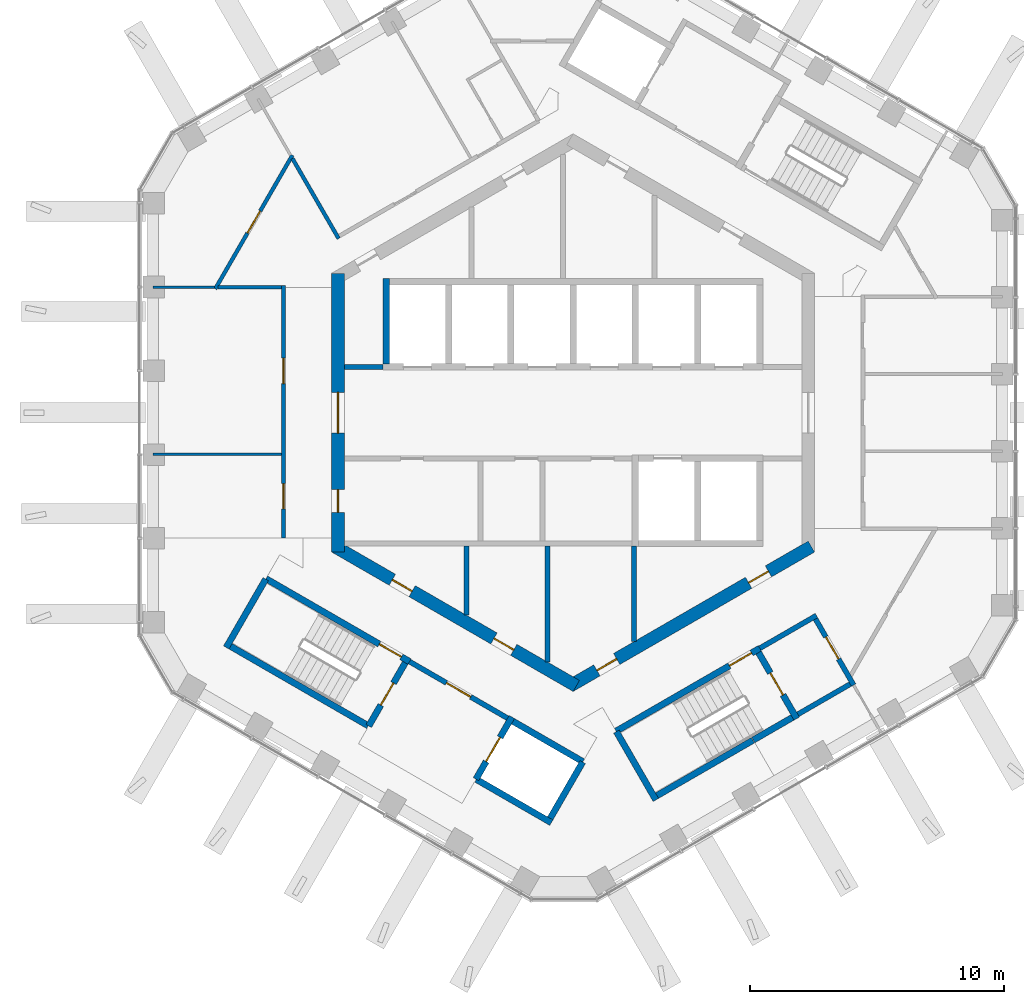
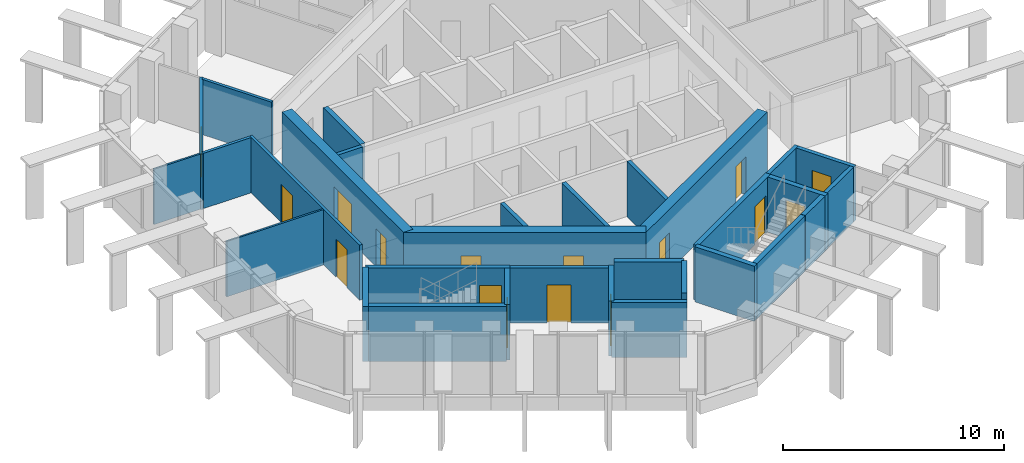
# One storey, part 11 of 18: 31 walls, 16 doors, 16 openings.
"""IFC4 building model written with IfcOpenShell, lengths in metres."""

from ifc_helpers import new_model, si_unit, direction, frame, frame_2d, origin, place, context, subcontext, project, spatial, rectangle, extrude, material, layer, layer_set, type_object, element, fill, save


model = new_model("IFC4")

# Units and contexts
model_context = context("Model", 3, precision=1e-05, world=origin(), true_north=direction((0.0, 1.0)))
body_context = subcontext(model_context, "Body", "Model", "MODEL_VIEW")
ifc_project = project(units=[si_unit("LENGTHUNIT", "METRE"), si_unit("AREAUNIT", "SQUARE_METRE"), si_unit("VOLUMEUNIT", "CUBIC_METRE"), si_unit("PLANEANGLEUNIT", "RADIAN"), si_unit("MASSUNIT", "GRAM", prefix="KILO")], contexts=[model_context])

# Site, building, storey
site_placement = place(None, origin())
site = spatial("IfcSite", under=ifc_project, at=site_placement, CompositionType="ELEMENT")
building_placement = place(site_placement, origin())
building = spatial("IfcBuilding", under=site, at=building_placement, Name="Ayvan Gate Tower", CompositionType="ELEMENT")
storey_placement = place(building_placement, frame((0.0, 0.0, 239.300048828125)))
storey = spatial("IfcBuildingStorey", under=building, at=storey_placement, Name="L64", CompositionType="ELEMENT", Elevation=239.300048828125)

# Wall, openings, doors
ifc_material_1 = material(Name="Concrete C60/75", Category="concrete")
ifc_layer_1 = layer(ifc_material_1, 0.5)
ifc_layer_set_1 = layer_set([ifc_layer_1], Name="Concrete C60/75")
wall_type_1 = type_object("IfcWallType", Name="Core wall 500 C60/75", PredefinedType="SHEAR", material=ifc_layer_set_1)
wall_1_placement = place(storey_placement, frame((-9.25, 5.48486328125, 0.0), z_axis=(0.0, 0.0, 1.0), x_axis=(0.0, -1.0, 0.0)))
wall_1 = element("IfcWall", 1, at=wall_1_placement, inside=storey, type_object=wall_type_1, Name="CORE-L64-3", PredefinedType="SHEAR", context=body_context, shape_type="SweptSolid", body=[
    extrude(rectangle(XDim=10.9697265625, YDim=0.5, at=frame_2d((5.48486328125, 0.0))), origin(), (0.0, 0.0, 1.0), 3.39990234375),
])
opening_1_placement = place(wall_1_placement, frame((8.509765625, 0.0, 0.0)))
opening_1 = element("IfcOpeningElement", 2, at=opening_1_placement, cuts=wall_1, Name="Opening L64-D45", PredefinedType="OPENING", context=body_context, shape_type="SweptSolid", body=[
    extrude(rectangle(XDim=0.89990234375, YDim=2.10009765625, at=frame_2d((0.449951171875, 1.050048828125))), frame((0.0, 0.260009765625, 0.0), z_axis=(0.0, -1.0, 0.0), x_axis=(1.0, 0.0, 0.0)), (0.0, 0.0, 1.0), 0.52001953125),
])
opening_2_placement = place(wall_1_placement, frame((4.684814453125, 0.0, 0.0)))
opening_2 = element("IfcOpeningElement", 3, at=opening_2_placement, cuts=wall_1, Name="Opening L64-D47", PredefinedType="OPENING", context=body_context, shape_type="SweptSolid", body=[
    extrude(rectangle(XDim=1.60009765625, YDim=2.10009765625, at=frame_2d((0.800048828125, 1.050048828125))), frame((0.0, 0.260009765625, 0.0), z_axis=(0.0, -1.0, 0.0), x_axis=(1.0, 0.0, 0.0)), (0.0, 0.0, 1.0), 0.52001953125),
])
ifc_material_2 = material(Name="Timber door leaf", Category="wood")
door_type_1 = type_object("IfcDoorType", Name="DT-1600", OperationType="NOTDEFINED", PredefinedType="DOOR", material=ifc_material_2)
door_1_placement = place(opening_2_placement, origin())
door_1 = element("IfcDoor", 4, at=door_1_placement, inside=storey, type_object=door_type_1, Name="CD-L64-47", OperationType="SINGLE_SWING_LEFT", OverallHeight=2.10009765625, OverallWidth=1.60009765625, PredefinedType="DOOR", context=body_context, shape_type="SweptSolid", body=[
    extrude(rectangle(XDim=1.60009765625, YDim=2.10009765625, at=frame_2d((0.800048828125, 1.050048828125))), frame((0.0, 0.02490234375, 0.0), z_axis=(0.0, -1.0, 0.0), x_axis=(1.0, 0.0, 0.0)), (0.0, 0.0, 1.0), 0.050048828125),
])
fill(opening_2, door_1)
door_type_2 = type_object("IfcDoorType", Name="DT-900", OperationType="NOTDEFINED", PredefinedType="DOOR", material=ifc_material_2)
door_2_placement = place(opening_1_placement, origin())
door_2 = element("IfcDoor", 5, at=door_2_placement, inside=storey, type_object=door_type_2, Name="CD-L64-45", OperationType="SINGLE_SWING_LEFT", OverallHeight=2.10009765625, OverallWidth=0.89990234375, PredefinedType="DOOR", context=body_context, shape_type="SweptSolid", body=[
    extrude(rectangle(XDim=0.89990234375, YDim=2.10009765625, at=frame_2d((0.449951171875, 1.050048828125))), frame((0.0, 0.02490234375, 0.0), z_axis=(0.0, -1.0, 0.0), x_axis=(1.0, 0.0, 0.0)), (0.0, 0.0, 1.0), 0.050048828125),
])
fill(opening_1, door_2)

wall_2_placement = place(storey_placement, frame((-9.375, -5.268310546875, 0.0), z_axis=(0.0, 0.0, 1.0), x_axis=(0.866023993627, -0.500002442456, 0.0)))
wall_2 = element("IfcWall", 6, at=wall_2_placement, inside=storey, type_object=wall_type_1, Name="CORE-L64-4", PredefinedType="SHEAR", context=body_context, shape_type="SweptSolid", body=[
    extrude(rectangle(XDim=10.9697265625, YDim=0.5, at=frame_2d((5.48486328125, 0.0))), origin(), (0.0, 0.0, 1.0), 3.39990234375),
])
opening_3_placement = place(wall_2_placement, frame((2.610595703125, 0.0, 0.0)))
opening_3 = element("IfcOpeningElement", 7, at=opening_3_placement, cuts=wall_2, Name="Opening L64-D41", PredefinedType="OPENING", context=body_context, shape_type="SweptSolid", body=[
    extrude(rectangle(XDim=0.89990234375, YDim=2.10009765625, at=frame_2d((0.449951171875, 1.050048828125))), frame((0.0, 0.260009765625, 0.0), z_axis=(0.0, -1.0, 0.0), x_axis=(1.0, 0.0, 0.0)), (0.0, 0.0, 1.0), 0.52001953125),
])
opening_4_placement = place(wall_2_placement, frame((7.229248046875, 0.0, 0.0)))
opening_4 = element("IfcOpeningElement", 8, at=opening_4_placement, cuts=wall_2, Name="Opening L64-D42", PredefinedType="OPENING", context=body_context, shape_type="SweptSolid", body=[
    extrude(rectangle(XDim=0.89990234375, YDim=2.10009765625, at=frame_2d((0.449951171875, 1.050048828125))), frame((0.0, 0.260009765625, 0.0), z_axis=(0.0, -1.0, 0.0), x_axis=(1.0, 0.0, 0.0)), (0.0, 0.0, 1.0), 0.52001953125),
])
door_3_placement = place(opening_3_placement, origin())
door_3 = element("IfcDoor", 9, at=door_3_placement, inside=storey, type_object=door_type_2, Name="CD-L64-41", OperationType="SINGLE_SWING_LEFT", OverallHeight=2.10009765625, OverallWidth=0.89990234375, PredefinedType="DOOR", context=body_context, shape_type="SweptSolid", body=[
    extrude(rectangle(XDim=0.89990234375, YDim=2.10009765625, at=frame_2d((0.449951171875, 1.050048828125))), frame((0.0, 0.02490234375, 0.0), z_axis=(0.0, -1.0, 0.0), x_axis=(1.0, 0.0, 0.0)), (0.0, 0.0, 1.0), 0.050048828125),
])
fill(opening_3, door_3)
door_4_placement = place(opening_4_placement, origin())
door_4 = element("IfcDoor", 10, at=door_4_placement, inside=storey, type_object=door_type_2, Name="CD-L64-42", OperationType="SINGLE_SWING_RIGHT", OverallHeight=2.10009765625, OverallWidth=0.89990234375, PredefinedType="DOOR", context=body_context, shape_type="SweptSolid", body=[
    extrude(rectangle(XDim=0.89990234375, YDim=2.10009765625, at=frame_2d((0.449951171875, 1.050048828125))), frame((0.0, 0.02490234375, 0.0), z_axis=(0.0, -1.0, 0.0), x_axis=(1.0, 0.0, 0.0)), (0.0, 0.0, 1.0), 0.050048828125),
])
fill(opening_4, door_4)

wall_3_placement = place(storey_placement, frame((-0.125, -10.753173828125, 0.0), z_axis=(0.0, 0.0, 1.0), x_axis=(0.866023993627, 0.500002442456, 0.0)))
wall_3 = element("IfcWall", 11, at=wall_3_placement, inside=storey, type_object=wall_type_1, Name="CORE-L64-5", PredefinedType="SHEAR", context=body_context, shape_type="SweptSolid", body=[
    extrude(rectangle(XDim=10.9697265625, YDim=0.5, at=frame_2d((5.48486328125, 0.0))), origin(), (0.0, 0.0, 1.0), 3.39990234375),
])
opening_5_placement = place(wall_3_placement, frame((1.224853515625, 0.0, 0.0)))
opening_5 = element("IfcOpeningElement", 12, at=opening_5_placement, cuts=wall_3, Name="Opening L64-D43", PredefinedType="OPENING", context=body_context, shape_type="SweptSolid", body=[
    extrude(rectangle(XDim=0.89990234375, YDim=2.10009765625, at=frame_2d((0.449951171875, 1.050048828125))), frame((0.0, 0.260009765625, 0.0), z_axis=(0.0, -1.0, 0.0), x_axis=(1.0, 0.0, 0.0)), (0.0, 0.0, 1.0), 0.52001953125),
])
opening_6_placement = place(wall_3_placement, frame((8.118896484375, 0.0, 0.0)))
opening_6 = element("IfcOpeningElement", 13, at=opening_6_placement, cuts=wall_3, Name="Opening L64-D44", PredefinedType="OPENING", context=body_context, shape_type="SweptSolid", body=[
    extrude(rectangle(XDim=0.89990234375, YDim=2.10009765625, at=frame_2d((0.449951171875, 1.050048828125))), frame((0.0, 0.260009765625, 0.0), z_axis=(0.0, -1.0, 0.0), x_axis=(1.0, 0.0, 0.0)), (0.0, 0.0, 1.0), 0.52001953125),
])
door_5_placement = place(opening_5_placement, origin())
door_5 = element("IfcDoor", 14, at=door_5_placement, inside=storey, type_object=door_type_2, Name="CD-L64-43", OperationType="SINGLE_SWING_LEFT", OverallHeight=2.10009765625, OverallWidth=0.89990234375, PredefinedType="DOOR", context=body_context, shape_type="SweptSolid", body=[
    extrude(rectangle(XDim=0.89990234375, YDim=2.10009765625, at=frame_2d((0.449951171875, 1.050048828125))), frame((0.0, 0.02490234375, 0.0), z_axis=(0.0, -1.0, 0.0), x_axis=(1.0, 0.0, 0.0)), (0.0, 0.0, 1.0), 0.050048828125),
])
fill(opening_5, door_5)
door_6_placement = place(opening_6_placement, origin())
door_6 = element("IfcDoor", 15, at=door_6_placement, inside=storey, type_object=door_type_2, Name="CD-L64-44", OperationType="SINGLE_SWING_RIGHT", OverallHeight=2.10009765625, OverallWidth=0.89990234375, PredefinedType="DOOR", context=body_context, shape_type="SweptSolid", body=[
    extrude(rectangle(XDim=0.89990234375, YDim=2.10009765625, at=frame_2d((0.449951171875, 1.050048828125))), frame((0.0, 0.02490234375, 0.0), z_axis=(0.0, -1.0, 0.0), x_axis=(1.0, 0.0, 0.0)), (0.0, 0.0, 1.0), 0.050048828125),
])
fill(opening_6, door_6)

# Wall, opening, door
ifc_material_3 = material(Name="Plasterboard on steel stud", Category="steel")
ifc_layer_2 = layer(ifc_material_3, 0.14990234375)
ifc_layer_set_2 = layer_set([ifc_layer_2], Name="Plasterboard on steel stud")
wall_type_2 = type_object("IfcWallType", Name="WT-CORR-150", PredefinedType="PARTITIONING", material=ifc_layer_set_2)
wall_4_placement = place(storey_placement, frame((-14.08251953125, 4.869140625, 0.0), z_axis=(0.0, 0.0, 1.0), x_axis=(0.500011139556, 0.866018972263, 0.0)))
wall_4 = element("IfcWall", 16, at=wall_4_placement, inside=storey, type_object=wall_type_2, Name="IW-L64-001", PredefinedType="PARTITIONING", context=body_context, shape_type="SweptSolid", body=[
    extrude(rectangle(XDim=6.075927734375, YDim=0.14990234375, at=frame_2d((3.0380859375, 0.0))), origin(), (0.0, 0.0, 1.0), 3.050048828125),
])
opening_7_placement = place(wall_4_placement, frame((2.5380859375, 0.0, 0.0)))
opening_7 = element("IfcOpeningElement", 17, at=opening_7_placement, cuts=wall_4, Name="Opening L64-D29", PredefinedType="OPENING", context=body_context, shape_type="SweptSolid", body=[
    extrude(rectangle(XDim=1.0, YDim=2.10009765625, at=frame_2d((0.5, 1.050048828125))), frame((0.0, 0.0849609375, 0.0), z_axis=(0.0, -1.0, 0.0), x_axis=(1.0, 0.0, 0.0)), (0.0, 0.0, 1.0), 0.169921875),
])
door_type_3 = type_object("IfcDoorType", Name="DT-1000", OperationType="NOTDEFINED", PredefinedType="DOOR", material=ifc_material_2)
door_7_placement = place(opening_7_placement, origin())
door_7 = element("IfcDoor", 18, at=door_7_placement, inside=storey, type_object=door_type_3, Name="ID-L64-029", OperationType="SINGLE_SWING_LEFT", OverallHeight=2.10009765625, OverallWidth=1.0, PredefinedType="DOOR", context=body_context, shape_type="SweptSolid", body=[
    extrude(rectangle(XDim=1.0, YDim=2.10009765625, at=frame_2d((0.5, 1.050048828125))), frame((0.0, 0.02490234375, 0.0), z_axis=(0.0, -1.0, 0.0), x_axis=(1.0, 0.0, 0.0)), (0.0, 0.0, 1.0), 0.050048828125),
])
fill(opening_7, door_7)

# Wall, openings, doors
wall_5_placement = place(storey_placement, frame((-11.39990234375, -4.93408203125, 0.0), z_axis=(0.0, 0.0, 1.0), x_axis=(0.0, 1.0, 0.0)))
wall_5 = element("IfcWall", 19, at=wall_5_placement, inside=storey, type_object=wall_type_2, Name="IW-L64-005", PredefinedType="PARTITIONING", context=body_context, shape_type="SweptSolid", body=[
    extrude(rectangle(XDim=9.943115234375, YDim=0.14990234375, at=frame_2d((4.9716796875, 0.0))), origin(), (0.0, 0.0, 1.0), 3.050048828125),
])
opening_8_placement = place(wall_5_placement, frame((6.078857421875, 0.0, 0.0)))
opening_8 = element("IfcOpeningElement", 20, at=opening_8_placement, cuts=wall_5, Name="Opening L64-D30", PredefinedType="OPENING", context=body_context, shape_type="SweptSolid", body=[
    extrude(rectangle(XDim=1.0, YDim=2.10009765625, at=frame_2d((0.5, 1.050048828125))), frame((0.0, 0.0849609375, 0.0), z_axis=(0.0, -1.0, 0.0), x_axis=(1.0, 0.0, 0.0)), (0.0, 0.0, 1.0), 0.169921875),
])
opening_9_placement = place(wall_5_placement, frame((1.144287109375, 0.0, 0.0)))
opening_9 = element("IfcOpeningElement", 21, at=opening_9_placement, cuts=wall_5, Name="Opening L64-D31", PredefinedType="OPENING", context=body_context, shape_type="SweptSolid", body=[
    extrude(rectangle(XDim=1.0, YDim=2.10009765625, at=frame_2d((0.5, 1.050048828125))), frame((0.0, 0.0849609375, 0.0), z_axis=(0.0, -1.0, 0.0), x_axis=(1.0, 0.0, 0.0)), (0.0, 0.0, 1.0), 0.169921875),
])
door_8_placement = place(opening_8_placement, origin())
door_8 = element("IfcDoor", 22, at=door_8_placement, inside=storey, type_object=door_type_3, Name="ID-L64-030", OperationType="SINGLE_SWING_RIGHT", OverallHeight=2.10009765625, OverallWidth=1.0, PredefinedType="DOOR", context=body_context, shape_type="SweptSolid", body=[
    extrude(rectangle(XDim=1.0, YDim=2.10009765625, at=frame_2d((0.5, 1.050048828125))), frame((0.0, 0.02490234375, 0.0), z_axis=(0.0, -1.0, 0.0), x_axis=(1.0, 0.0, 0.0)), (0.0, 0.0, 1.0), 0.050048828125),
])
fill(opening_8, door_8)
door_9_placement = place(opening_9_placement, origin())
door_9 = element("IfcDoor", 23, at=door_9_placement, inside=storey, type_object=door_type_3, Name="ID-L64-031", OperationType="SINGLE_SWING_LEFT", OverallHeight=2.10009765625, OverallWidth=1.0, PredefinedType="DOOR", context=body_context, shape_type="SweptSolid", body=[
    extrude(rectangle(XDim=1.0, YDim=2.10009765625, at=frame_2d((0.5, 1.050048828125))), frame((0.0, 0.02490234375, 0.0), z_axis=(0.0, -1.0, 0.0), x_axis=(1.0, 0.0, 0.0)), (0.0, 0.0, 1.0), 0.050048828125),
])
fill(opening_9, door_9)

# Walls
wall_6_placement = place(storey_placement, frame((-11.474853515625, 4.93408203125, 0.0), z_axis=(0.0, 0.0, 1.0), x_axis=(-1.0, 0.0, 0.0)))
element("IfcWall", 24, at=wall_6_placement, inside=storey, type_object=wall_type_2, Name="IW-L64-007", PredefinedType="PARTITIONING", context=body_context, shape_type="SweptSolid", body=[
    extrude(rectangle(XDim=2.4951171875, YDim=0.14990234375, at=frame_2d((1.24755859375, 0.0))), origin(), (0.0, 0.0, 1.0), 3.050048828125),
])
wall_7_placement = place(storey_placement, frame((-11.04443359375, 10.001220703125, 0.0), z_axis=(0.0, 0.0, 1.0), x_axis=(0.500007048974, -0.866021334019, 0.0)))
element("IfcWall", 25, at=wall_7_placement, inside=storey, type_object=wall_type_2, Name="IW-L64-008", PredefinedType="PARTITIONING", context=body_context, shape_type="SweptSolid", body=[
    extrude(rectangle(XDim=3.638671875, YDim=0.14990234375, at=frame_2d((1.8193359375, 0.0))), origin(), (0.0, 0.0, 1.0), 3.050048828125),
])
ifc_layer_3 = layer(ifc_material_3, 0.10009765625)
ifc_layer_set_3 = layer_set([ifc_layer_3], Name="Plasterboard on steel stud")
wall_type_3 = type_object("IfcWallType", Name="WT-PART-100", PredefinedType="PARTITIONING", material=ifc_layer_set_3)
wall_8_placement = place(storey_placement, frame((-14.119873046875, 4.93408203125, 0.0), z_axis=(0.0, 0.0, 1.0), x_axis=(-1.0, 0.0, 0.0)))
element("IfcWall", 26, at=wall_8_placement, inside=storey, type_object=wall_type_3, Name="IW-L64-000", PredefinedType="PARTITIONING", context=body_context, shape_type="SweptSolid", body=[
    extrude(rectangle(XDim=2.41162109375, YDim=0.10009765625, at=frame_2d((1.205810546875, 0.0))), origin(), (0.0, 0.0, 1.0), 3.050048828125),
])
wall_9_placement = place(storey_placement, frame((-11.47509765625, -1.644775390625, 0.0), z_axis=(0.0, 0.0, 1.0), x_axis=(-1.0, 0.0, 0.0)))
element("IfcWall", 27, at=wall_9_placement, inside=storey, type_object=wall_type_3, Name="IW-L64-006", PredefinedType="PARTITIONING", context=body_context, shape_type="SweptSolid", body=[
    extrude(rectangle(XDim=5.056396484375, YDim=0.10009765625, at=frame_2d((2.5283203125, 0.0))), origin(), (0.0, 0.0, 1.0), 3.050048828125),
])
ifc_layer_4 = layer(ifc_material_3, 0.199951171875)
ifc_layer_set_4 = layer_set([ifc_layer_4], Name="Plasterboard on steel stud")
wall_type_4 = type_object("IfcWallType", Name="WT-RATED-200", PredefinedType="PARTITIONING", material=ifc_layer_set_4)
wall_10_placement = place(storey_placement, frame((-9.0, 1.800048828125, 0.0), z_axis=(0.0, 0.0, 1.0), x_axis=(1.0, 0.0, 0.0)))
element("IfcWall", 28, at=wall_10_placement, inside=storey, type_object=wall_type_4, Name="IW-L64-010", PredefinedType="PARTITIONING", context=body_context, shape_type="SweptSolid", body=[
    extrude(rectangle(XDim=1.525146484375, YDim=0.199951171875, at=frame_2d((0.7626953125, 0.0))), origin(), (0.0, 0.0, 1.0), 3.050048828125),
])

# Wall, opening, door
wall_11_placement = place(storey_placement, frame((-6.4345703125, -9.794921875, 0.0), z_axis=(0.0, 0.0, 1.0), x_axis=(0.866012907634, -0.500021643343, 0.0)))
wall_11 = element("IfcWall", 29, at=wall_11_placement, inside=storey, type_object=wall_type_4, Name="IW-L64-017", PredefinedType="PARTITIONING", context=body_context, shape_type="SweptSolid", body=[
    extrude(rectangle(XDim=4.449951171875, YDim=0.199951171875, at=frame_2d((2.22509765625, 0.0))), origin(), (0.0, 0.0, 1.0), 3.050048828125),
])
opening_10_placement = place(wall_11_placement, frame((1.675048828125, 0.0, 0.0)))
opening_10 = element("IfcOpeningElement", 30, at=opening_10_placement, cuts=wall_11, Name="Opening L64-D17", PredefinedType="OPENING", context=body_context, shape_type="SweptSolid", body=[
    extrude(rectangle(XDim=1.10009765625, YDim=2.10009765625, at=frame_2d((0.550048828125, 1.050048828125))), frame((0.0, 0.10986328125, 0.0), z_axis=(0.0, -1.0, 0.0), x_axis=(1.0, 0.0, 0.0)), (0.0, 0.0, 1.0), 0.219970703125),
])
door_type_4 = type_object("IfcDoorType", Name="DT-1100", OperationType="NOTDEFINED", PredefinedType="DOOR", material=ifc_material_2)
door_10_placement = place(opening_10_placement, origin())
door_10 = element("IfcDoor", 31, at=door_10_placement, inside=storey, type_object=door_type_4, Name="ID-L64-017", OperationType="SINGLE_SWING_LEFT", OverallHeight=2.10009765625, OverallWidth=1.10009765625, PredefinedType="DOOR", context=body_context, shape_type="SweptSolid", body=[
    extrude(rectangle(XDim=1.10009765625, YDim=2.10009765625, at=frame_2d((0.550048828125, 1.050048828125))), frame((0.0, 0.02490234375, 0.0), z_axis=(0.0, -1.0, 0.0), x_axis=(1.0, 0.0, 0.0)), (0.0, 0.0, 1.0), 0.050048828125),
])
fill(opening_10, door_10)

# Walls
wall_12_placement = place(storey_placement, frame((-4.199951171875, -5.25, 0.0), z_axis=(0.0, 0.0, 1.0), x_axis=(0.0, -1.0, 0.0)))
element("IfcWall", 32, at=wall_12_placement, inside=storey, type_object=wall_type_4, Name="IW-L64-019", PredefinedType="PARTITIONING", context=body_context, shape_type="SweptSolid", body=[
    extrude(rectangle(XDim=2.71728515625, YDim=0.199951171875, at=frame_2d((1.358642578125, 0.0))), origin(), (0.0, 0.0, 1.0), 3.050048828125),
])
wall_13_placement = place(storey_placement, frame((-1.0, -5.25, 0.0), z_axis=(0.0, 0.0, 1.0), x_axis=(0.0, -1.0, 0.0)))
element("IfcWall", 33, at=wall_13_placement, inside=storey, type_object=wall_type_4, Name="IW-L64-034", PredefinedType="PARTITIONING", context=body_context, shape_type="SweptSolid", body=[
    extrude(rectangle(XDim=4.56494140625, YDim=0.199951171875, at=frame_2d((2.282470703125, 0.0))), origin(), (0.0, 0.0, 1.0), 3.050048828125),
])
wall_14_placement = place(storey_placement, frame((2.39990234375, -5.25, 0.0), z_axis=(0.0, 0.0, 1.0), x_axis=(0.0, -1.0, 0.0)))
element("IfcWall", 34, at=wall_14_placement, inside=storey, type_object=wall_type_4, Name="IW-L64-043", PredefinedType="PARTITIONING", context=body_context, shape_type="SweptSolid", body=[
    extrude(rectangle(XDim=3.756591796875, YDim=0.199951171875, at=frame_2d((1.87841796875, 0.0))), origin(), (0.0, 0.0, 1.0), 3.050048828125),
])
wall_15_placement = place(storey_placement, frame((7.343994140625, -9.27001953125, 0.0), z_axis=(0.0, 0.0, 1.0), x_axis=(0.866005588531, 0.500034319456, 0.0)))
element("IfcWall", 35, at=wall_15_placement, inside=storey, type_object=wall_type_4, Name="IW-L64-060", PredefinedType="PARTITIONING", context=body_context, shape_type="SweptSolid", body=[
    extrude(rectangle(XDim=2.574951171875, YDim=0.199951171875, at=frame_2d((1.28759765625, 0.0))), origin(), (0.0, 0.0, 1.0), 3.050048828125),
])

# Wall, opening, door
wall_16_placement = place(storey_placement, frame((9.537353515625, -8.119140625, 0.0), z_axis=(0.0, 0.0, 1.0), x_axis=(0.499990139034, -0.866031096941, 0.0)))
wall_16 = element("IfcWall", 36, at=wall_16_placement, inside=storey, type_object=wall_type_4, Name="IW-L64-069", PredefinedType="PARTITIONING", context=body_context, shape_type="SweptSolid", body=[
    extrude(rectangle(XDim=3.0, YDim=0.199951171875, at=frame_2d((1.5, 0.0))), origin(), (0.0, 0.0, 1.0), 3.050048828125),
])
opening_11_placement = place(wall_16_placement, frame((0.817138671875, 0.0, 0.0)))
opening_11 = element("IfcOpeningElement", 37, at=opening_11_placement, cuts=wall_16, Name="Opening L64-D20", PredefinedType="OPENING", context=body_context, shape_type="SweptSolid", body=[
    extrude(rectangle(XDim=1.0, YDim=2.10009765625, at=frame_2d((0.5, 1.050048828125))), frame((0.0, 0.10986328125, 0.0), z_axis=(0.0, -1.0, 0.0), x_axis=(1.0, 0.0, 0.0)), (0.0, 0.0, 1.0), 0.219970703125),
])
door_11_placement = place(opening_11_placement, origin())
door_11 = element("IfcDoor", 38, at=door_11_placement, inside=storey, type_object=door_type_3, Name="ID-L64-020", OperationType="SINGLE_SWING_RIGHT", OverallHeight=2.10009765625, OverallWidth=1.0, PredefinedType="DOOR", context=body_context, shape_type="SweptSolid", body=[
    extrude(rectangle(XDim=1.0, YDim=2.10009765625, at=frame_2d((0.5, 1.050048828125))), frame((0.0, 0.02490234375, 0.0), z_axis=(0.0, -1.0, 0.0), x_axis=(1.0, 0.0, 0.0)), (0.0, 0.0, 1.0), 0.050048828125),
])
fill(opening_11, door_11)

# Walls
wall_17_placement = place(storey_placement, frame((10.900634765625, -10.6806640625, 0.0), z_axis=(0.0, 0.0, 1.0), x_axis=(-0.866007538022, -0.500030943131, 0.0)))
element("IfcWall", 39, at=wall_17_placement, inside=storey, type_object=wall_type_4, Name="IW-L64-070", PredefinedType="PARTITIONING", context=body_context, shape_type="SweptSolid", body=[
    extrude(rectangle(XDim=2.374755859375, YDim=0.199951171875, at=frame_2d((1.1875, 0.0))), origin(), (0.0, 0.0, 1.0), 3.050048828125),
])
ifc_material_4 = material(Name="Concrete C50/60", Category="concrete")
ifc_layer_5 = layer(ifc_material_4, 0.25)
ifc_layer_set_5 = layer_set([ifc_layer_5], Name="Concrete C50/60")
wall_type_5 = type_object("IfcWallType", Name="WT-RC-250", PredefinedType="SHEAR", material=ifc_layer_set_5)
wall_18_placement = place(storey_placement, frame((-13.64794921875, -9.23876953125, 0.0), z_axis=(0.0, 0.0, 1.0), x_axis=(0.500003782172, 0.866023220135, 0.0)))
element("IfcWall", 40, at=wall_18_placement, inside=storey, type_object=wall_type_5, Name="IW-L64-002", PredefinedType="SHEAR", context=body_context, shape_type="SweptSolid", body=[
    extrude(rectangle(XDim=3.10498046875, YDim=0.25, at=frame_2d((1.552490234375, 0.0))), origin(), (0.0, 0.0, 1.0), 3.050048828125),
])

# Wall, opening, door
wall_19_placement = place(storey_placement, frame((-12.08544921875, -6.532470703125, 0.0), z_axis=(0.0, 0.0, 1.0), x_axis=(0.866031063448, -0.499990197047, 0.0)))
wall_19 = element("IfcWall", 41, at=wall_19_placement, inside=storey, type_object=wall_type_5, Name="IW-L64-004", PredefinedType="SHEAR", context=body_context, shape_type="SweptSolid", body=[
    extrude(rectangle(XDim=6.525146484375, YDim=0.25, at=frame_2d((3.2626953125, 0.0))), origin(), (0.0, 0.0, 1.0), 3.050048828125),
])
opening_12_placement = place(wall_19_placement, frame((5.14990234375, 0.0, 0.0)))
opening_12 = element("IfcOpeningElement", 42, at=opening_12_placement, cuts=wall_19, Name="Opening L64-D15", PredefinedType="OPENING", context=body_context, shape_type="SweptSolid", body=[
    extrude(rectangle(XDim=1.0, YDim=2.10009765625, at=frame_2d((0.5, 1.050048828125))), frame((0.0, 0.135009765625, 0.0), z_axis=(0.0, -1.0, 0.0), x_axis=(1.0, 0.0, 0.0)), (0.0, 0.0, 1.0), 0.27001953125),
])
door_12_placement = place(opening_12_placement, origin())
door_12 = element("IfcDoor", 43, at=door_12_placement, inside=storey, type_object=door_type_3, Name="ID-L64-015", OperationType="SINGLE_SWING_LEFT", OverallHeight=2.10009765625, OverallWidth=1.0, PredefinedType="DOOR", context=body_context, shape_type="SweptSolid", body=[
    extrude(rectangle(XDim=1.0, YDim=2.10009765625, at=frame_2d((0.5, 1.050048828125))), frame((0.0, 0.02490234375, 0.0), z_axis=(0.0, -1.0, 0.0), x_axis=(1.0, 0.0, 0.0)), (0.0, 0.0, 1.0), 0.050048828125),
])
fill(opening_12, door_12)

# Walls
wall_20_placement = place(storey_placement, frame((-8.06005859375, -12.320556640625, 0.0), z_axis=(0.0, 0.0, 1.0), x_axis=(-0.866029591389, 0.499992746786, 0.0)))
element("IfcWall", 44, at=wall_20_placement, inside=storey, type_object=wall_type_5, Name="IW-L64-012", PredefinedType="SHEAR", context=body_context, shape_type="SweptSolid", body=[
    extrude(rectangle(XDim=6.2548828125, YDim=0.25, at=frame_2d((3.12744140625, 0.0))), origin(), (0.0, 0.0, 1.0), 3.050048828125),
])
wall_21_placement = place(storey_placement, frame((-7.35009765625, 1.925048828125, 0.0), z_axis=(0.0, 0.0, 1.0), x_axis=(0.0, 1.0, 0.0)))
element("IfcWall", 45, at=wall_21_placement, inside=storey, type_object=wall_type_5, Name="IW-L64-014", PredefinedType="SHEAR", context=body_context, shape_type="SweptSolid", body=[
    extrude(rectangle(XDim=3.349853515625, YDim=0.25, at=frame_2d((1.6748046875, 0.0))), origin(), (0.0, 0.0, 1.0), 3.050048828125),
])

# Wall, opening, door
wall_22_placement = place(storey_placement, frame((-6.605224609375, -9.8408203125, 0.0), z_axis=(0.0, 0.0, 1.0), x_axis=(-0.500011588718, -0.866018712932, 0.0)))
wall_22 = element("IfcWall", 46, at=wall_22_placement, inside=storey, type_object=wall_type_5, Name="IW-L64-016", PredefinedType="SHEAR", context=body_context, shape_type="SweptSolid", body=[
    extrude(rectangle(XDim=2.875, YDim=0.25, at=frame_2d((1.4375, 0.0))), origin(), (0.0, 0.0, 1.0), 3.050048828125),
])
opening_13_placement = place(wall_22_placement, frame((0.923095703125, 0.0, 0.0)))
opening_13 = element("IfcOpeningElement", 47, at=opening_13_placement, cuts=wall_22, Name="Opening L64-D16", PredefinedType="OPENING", context=body_context, shape_type="SweptSolid", body=[
    extrude(rectangle(XDim=1.0, YDim=2.10009765625, at=frame_2d((0.5, 1.050048828125))), frame((0.0, 0.135009765625, 0.0), z_axis=(0.0, -1.0, 0.0), x_axis=(1.0, 0.0, 0.0)), (0.0, 0.0, 1.0), 0.27001953125),
])
door_13_placement = place(opening_13_placement, origin())
door_13 = element("IfcDoor", 48, at=door_13_placement, inside=storey, type_object=door_type_3, Name="ID-L64-016", OperationType="SINGLE_SWING_RIGHT", OverallHeight=2.10009765625, OverallWidth=1.0, PredefinedType="DOOR", context=body_context, shape_type="SweptSolid", body=[
    extrude(rectangle(XDim=1.0, YDim=2.10009765625, at=frame_2d((0.5, 1.050048828125))), frame((0.0, 0.02490234375, 0.0), z_axis=(0.0, -1.0, 0.0), x_axis=(1.0, 0.0, 0.0)), (0.0, 0.0, 1.0), 0.050048828125),
])
fill(opening_13, door_13)

wall_23_placement = place(storey_placement, frame((-2.409912109375, -11.97412109375, 0.0), z_axis=(0.0, 0.0, 1.0), x_axis=(-0.49998675294, -0.866033051843, 0.0)))
wall_23 = element("IfcWall", 49, at=wall_23_placement, inside=storey, type_object=wall_type_5, Name="IW-L64-029", PredefinedType="SHEAR", context=body_context, shape_type="SweptSolid", body=[
    extrude(rectangle(XDim=2.8251953125, YDim=0.25, at=frame_2d((1.41259765625, 0.0))), origin(), (0.0, 0.0, 1.0), 3.050048828125),
])
opening_14_placement = place(wall_23_placement, frame((0.925537109375, 0.0, 0.0)))
opening_14 = element("IfcOpeningElement", 50, at=opening_14_placement, cuts=wall_23, Name="Opening L64-LD-FF2", PredefinedType="OPENING", context=body_context, shape_type="SweptSolid", body=[
    extrude(rectangle(XDim=1.10009765625, YDim=2.10009765625, at=frame_2d((0.550048828125, 1.050048828125))), frame((0.0, 0.135009765625, 0.0), z_axis=(0.0, -1.0, 0.0), x_axis=(1.0, 0.0, 0.0)), (0.0, 0.0, 1.0), 0.27001953125),
])
ifc_material_5 = material(Name="Stainless steel landing door", Category="steel")
door_type_5 = type_object("IfcDoorType", Name="DT-LANDING-1100", OperationType="SLIDING_TO_LEFT", PredefinedType="DOOR", material=ifc_material_5)
door_14_placement = place(opening_14_placement, origin())
door_14 = element("IfcDoor", 51, at=door_14_placement, inside=storey, type_object=door_type_5, Name="ID-L64-018", OperationType="SLIDING_TO_LEFT", OverallHeight=2.10009765625, OverallWidth=1.10009765625, PredefinedType="DOOR", context=body_context, shape_type="SweptSolid", body=[
    extrude(rectangle(XDim=1.10009765625, YDim=2.10009765625, at=frame_2d((0.550048828125, 1.050048828125))), frame((0.0, 0.02490234375, 0.0), z_axis=(0.0, -1.0, 0.0), x_axis=(1.0, 0.0, 0.0)), (0.0, 0.0, 1.0), 0.050048828125),
])
fill(opening_14, door_14)

# Walls
wall_24_placement = place(storey_placement, frame((-2.3642578125, -12.14501953125, 0.0), z_axis=(0.0, 0.0, 1.0), x_axis=(0.866048579423, -0.499959856469, 0.0)))
element("IfcWall", 52, at=wall_24_placement, inside=storey, type_object=wall_type_5, Name="IW-L64-030", PredefinedType="SHEAR", context=body_context, shape_type="SweptSolid", body=[
    extrude(rectangle(XDim=3.175048828125, YDim=0.25, at=frame_2d((1.58740234375, 0.0))), origin(), (0.0, 0.0, 1.0), 3.39990234375),
])
wall_25_placement = place(storey_placement, frame((-0.8564453125, -16.13330078125, 0.0), z_axis=(0.0, 0.0, 1.0), x_axis=(-0.866032748241, 0.499987278812, 0.0)))
element("IfcWall", 53, at=wall_25_placement, inside=storey, type_object=wall_type_5, Name="IW-L64-035", PredefinedType="SHEAR", context=body_context, shape_type="SweptSolid", body=[
    extrude(rectangle(XDim=3.40478515625, YDim=0.25, at=frame_2d((1.702392578125, 0.0))), origin(), (0.0, 0.0, 1.0), 3.050048828125),
])
wall_26_placement = place(storey_placement, frame((0.37548828125, -13.749755859375, 0.0), z_axis=(0.0, 0.0, 1.0), x_axis=(-0.50003400563, -0.866005769735, 0.0)))
element("IfcWall", 54, at=wall_26_placement, inside=storey, type_object=wall_type_5, Name="IW-L64-039", PredefinedType="SHEAR", context=body_context, shape_type="SweptSolid", body=[
    extrude(rectangle(XDim=2.554931640625, YDim=0.25, at=frame_2d((1.27734375, 0.0))), origin(), (0.0, 0.0, 1.0), 3.39990234375),
])

# Wall, opening, door
wall_27_placement = place(storey_placement, frame((1.693115234375, -12.532470703125, 0.0), z_axis=(0.0, 0.0, 1.0), x_axis=(0.866031063448, 0.499990197047, 0.0)))
wall_27 = element("IfcWall", 55, at=wall_27_placement, inside=storey, type_object=wall_type_5, Name="IW-L64-041", PredefinedType="SHEAR", context=body_context, shape_type="SweptSolid", body=[
    extrude(rectangle(XDim=6.525146484375, YDim=0.25, at=frame_2d((3.2626953125, 0.0))), origin(), (0.0, 0.0, 1.0), 3.050048828125),
])
opening_15_placement = place(wall_27_placement, frame((5.14990234375, 0.0, 0.0)))
opening_15 = element("IfcOpeningElement", 56, at=opening_15_placement, cuts=wall_27, Name="Opening L64-D19", PredefinedType="OPENING", context=body_context, shape_type="SweptSolid", body=[
    extrude(rectangle(XDim=1.0, YDim=2.10009765625, at=frame_2d((0.5, 1.050048828125))), frame((0.0, 0.135009765625, 0.0), z_axis=(0.0, -1.0, 0.0), x_axis=(1.0, 0.0, 0.0)), (0.0, 0.0, 1.0), 0.27001953125),
])
door_15_placement = place(opening_15_placement, origin())
door_15 = element("IfcDoor", 57, at=door_15_placement, inside=storey, type_object=door_type_3, Name="ID-L64-019", OperationType="SINGLE_SWING_LEFT", OverallHeight=2.10009765625, OverallWidth=1.0, PredefinedType="DOOR", context=body_context, shape_type="SweptSolid", body=[
    extrude(rectangle(XDim=1.0, YDim=2.10009765625, at=frame_2d((0.5, 1.050048828125))), frame((0.0, 0.02490234375, 0.0), z_axis=(0.0, -1.0, 0.0), x_axis=(1.0, 0.0, 0.0)), (0.0, 0.0, 1.0), 0.050048828125),
])
fill(opening_15, door_15)

# Walls
wall_28_placement = place(storey_placement, frame((3.255615234375, -15.23876953125, 0.0), z_axis=(0.0, 0.0, 1.0), x_axis=(-0.500003782172, 0.866023220135, 0.0)))
element("IfcWall", 58, at=wall_28_placement, inside=storey, type_object=wall_type_5, Name="IW-L64-048", PredefinedType="SHEAR", context=body_context, shape_type="SweptSolid", body=[
    extrude(rectangle(XDim=3.10498046875, YDim=0.25, at=frame_2d((1.552490234375, 0.0))), origin(), (0.0, 0.0, 1.0), 3.050048828125),
])
wall_29_placement = place(storey_placement, frame((7.07275390625, -12.890625, 0.0), z_axis=(0.0, 0.0, 1.0), x_axis=(-0.866023145199, -0.500003911965, 0.0)))
element("IfcWall", 59, at=wall_29_placement, inside=storey, type_object=wall_type_5, Name="IW-L64-058", PredefinedType="SHEAR", context=body_context, shape_type="SweptSolid", body=[
    extrude(rectangle(XDim=4.35498046875, YDim=0.25, at=frame_2d((2.177490234375, 0.0))), origin(), (0.0, 0.0, 1.0), 3.050048828125),
])

# Wall, opening, door
wall_30_placement = place(storey_placement, frame((7.298095703125, -9.44091796875, 0.0), z_axis=(0.0, 0.0, 1.0), x_axis=(0.50002537861, -0.866010750942, 0.0)))
wall_30 = element("IfcWall", 60, at=wall_30_placement, inside=storey, type_object=wall_type_5, Name="IW-L64-059", PredefinedType="SHEAR", context=body_context, shape_type="SweptSolid", body=[
    extrude(rectangle(XDim=2.999755859375, YDim=0.25, at=frame_2d((1.5, 0.0))), origin(), (0.0, 0.0, 1.0), 3.050048828125),
])
opening_16_placement = place(wall_30_placement, frame((0.922607421875, 0.0, 0.0)))
opening_16 = element("IfcOpeningElement", 61, at=opening_16_placement, cuts=wall_30, Name="Opening L64-D21", PredefinedType="OPENING", context=body_context, shape_type="SweptSolid", body=[
    extrude(rectangle(XDim=1.0, YDim=2.10009765625, at=frame_2d((0.5, 1.050048828125))), frame((0.0, 0.135009765625, 0.0), z_axis=(0.0, -1.0, 0.0), x_axis=(1.0, 0.0, 0.0)), (0.0, 0.0, 1.0), 0.27001953125),
])
door_16_placement = place(opening_16_placement, origin())
door_16 = element("IfcDoor", 62, at=door_16_placement, inside=storey, type_object=door_type_3, Name="ID-L64-021", OperationType="SINGLE_SWING_LEFT", OverallHeight=2.10009765625, OverallWidth=1.0, PredefinedType="DOOR", context=body_context, shape_type="SweptSolid", body=[
    extrude(rectangle(XDim=1.0, YDim=2.10009765625, at=frame_2d((0.5, 1.050048828125))), frame((0.0, 0.02490234375, 0.0), z_axis=(0.0, -1.0, 0.0), x_axis=(1.0, 0.0, 0.0)), (0.0, 0.0, 1.0), 0.050048828125),
])
fill(opening_16, door_16)

# Wall
wall_31_placement = place(storey_placement, frame((8.62744140625, -11.9931640625, 0.0), z_axis=(0.0, 0.0, 1.0), x_axis=(-0.866059624469, -0.499940723351, 0.0)))
element("IfcWall", 63, at=wall_31_placement, inside=storey, type_object=wall_type_5, Name="IW-L64-067", PredefinedType="SHEAR", context=body_context, shape_type="SweptSolid", body=[
    extrude(rectangle(XDim=1.775146484375, YDim=0.25, at=frame_2d((0.8876953125, 0.0))), origin(), (0.0, 0.0, 1.0), 3.050048828125),
])

save(model, "model.ifc")
